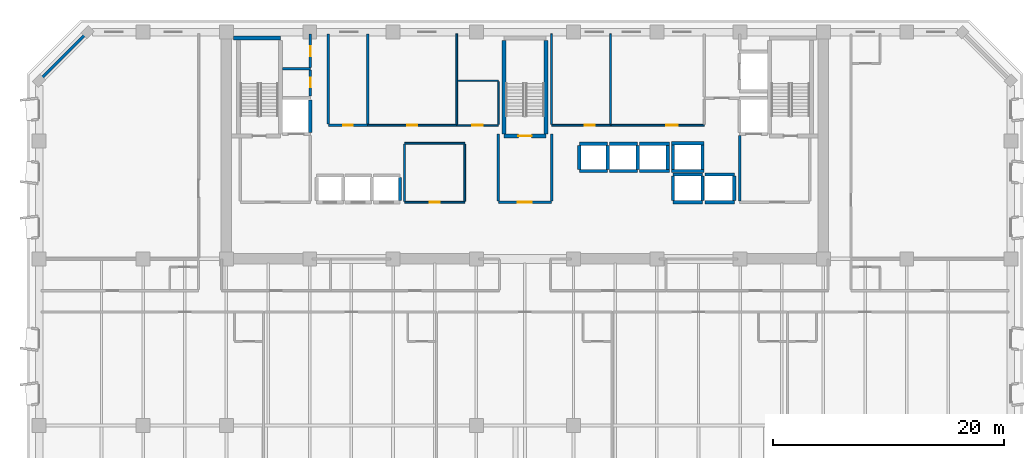
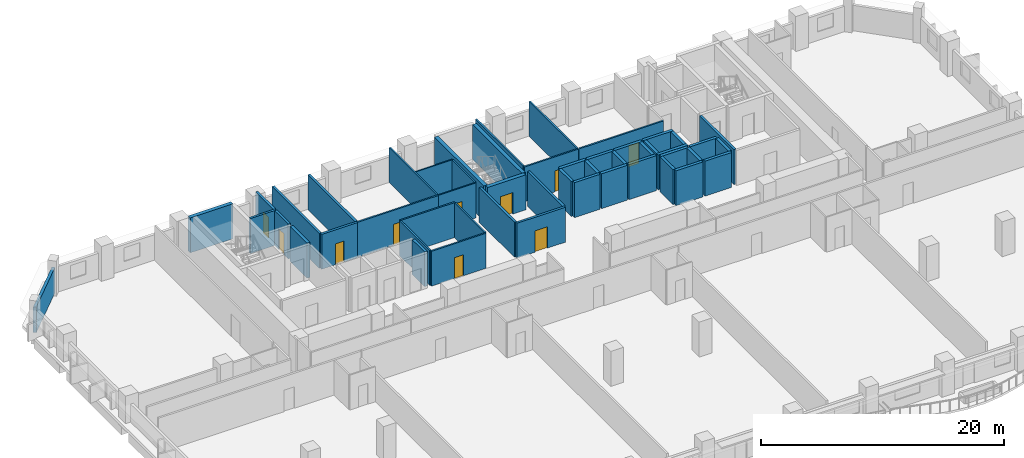
# One storey, part 7 of 14: 51 walls, 10 doors, 10 openings.
"""IFC4 building model written with IfcOpenShell, lengths in metres."""

from ifc_helpers import new_model, si_unit, direction, frame, frame_2d, origin, place, context, subcontext, project, spatial, rectangle, extrude, material, layer, layer_set, type_object, element, fill, save


model = new_model("IFC4")

# Units and contexts
model_context = context("Model", 3, precision=1e-05, world=origin(), true_north=direction((0.0, 1.0)))
body_context = subcontext(model_context, "Body", "Model", "MODEL_VIEW")
ifc_project = project(units=[si_unit("LENGTHUNIT", "METRE"), si_unit("AREAUNIT", "SQUARE_METRE"), si_unit("VOLUMEUNIT", "CUBIC_METRE"), si_unit("PLANEANGLEUNIT", "RADIAN"), si_unit("MASSUNIT", "GRAM", prefix="KILO")], contexts=[model_context])

# Site, building, storey
site_placement = place(None, origin())
site = spatial("IfcSite", under=ifc_project, at=site_placement, CompositionType="ELEMENT")
building_placement = place(site_placement, origin())
building = spatial("IfcBuilding", under=site, at=building_placement, Name="Kaelvorn Grand Hotel", CompositionType="ELEMENT")
storey_placement = place(building_placement, frame((0.0, 0.0, 123.050048828125)))
storey = spatial("IfcBuildingStorey", under=building, at=storey_placement, Name="L29", CompositionType="ELEMENT", Elevation=123.050048828125)

# Wall
ifc_material_1 = material(Name="Concrete C40/50", Category="concrete")
ifc_layer_1 = layer(ifc_material_1, 0.260009765625)
ifc_layer_set_1 = layer_set([ifc_layer_1], Name="Concrete C40/50")
wall_type_1 = type_object("IfcWallType", Name="WL-EXT-260-C40", PredefinedType="SOLIDWALL", material=ifc_layer_set_1)
wall_1_placement = place(storey_placement, frame((4.199951171875, 49.0, 0.0), z_axis=(0.0, 0.0, 1.0), x_axis=(-0.707106781187, -0.707106781187, 0.0)))
element("IfcWall", 1, at=wall_1_placement, inside=storey, type_object=wall_type_1, Name="L29 Exterior Architectural Concrete Wall 06", PredefinedType="SOLIDWALL", context=body_context, shape_type="SweptSolid", body=[
    extrude(rectangle(XDim=5.939697265625, YDim=0.260009765625, at=frame_2d((2.9697265625, 0.0))), origin(), (0.0, 0.0, 1.0), 2.56005859375),
])

# Wall, opening, door
ifc_material_2 = material(Name="Moisture-Resistant Tile & Stud Board")
ifc_layer_2 = layer(ifc_material_2, 0.125)
ifc_layer_set_2 = layer_set([ifc_layer_2], Name="Moisture-Resistant Tile & Stud Board")
wall_type_2 = type_object("IfcWallType", Name="WL-PART-125-WET", PredefinedType="PARTITIONING", material=ifc_layer_set_2)
wall_2_placement = place(storey_placement, frame((36.110107421875, 40.949951171875, 0.0), z_axis=(0.0, 0.0, 1.0), x_axis=(1.0, 0.0, 0.0)))
wall_2 = element("IfcWall", 2, at=wall_2_placement, inside=storey, type_object=wall_type_2, Name="L29 Accessible WC S Partition", PredefinedType="PARTITIONING", context=body_context, shape_type="SweptSolid", body=[
    extrude(rectangle(XDim=3.58984375, YDim=0.125, at=frame_2d((1.794921875, 0.0))), origin(), (0.0, 0.0, 1.0), 3.510009765625),
])
opening_1_placement = place(wall_2_placement, frame((1.340087890625, 0.0, 0.0)))
opening_1 = element("IfcOpeningElement", 3, at=opening_1_placement, cuts=wall_2, Name="Opening DI4", PredefinedType="OPENING", context=body_context, shape_type="SweptSolid", body=[
    extrude(rectangle(XDim=0.89990234375, YDim=2.10009765625, at=frame_2d((0.449951171875, 1.050048828125))), frame((0.0, 0.072509765625, 0.0), z_axis=(0.0, -1.0, 0.0), x_axis=(1.0, 0.0, 0.0)), (0.0, 0.0, 1.0), 0.14501953125),
])
ifc_material_3 = material(Name="Timber Veneer Leaf", Category="wood")
door_type_1 = type_object("IfcDoorType", Name="DR-INT-BATH-900x2100", OperationType="NOTDEFINED", PredefinedType="DOOR", material=ifc_material_3)
door_1_placement = place(opening_1_placement, origin())
door_1 = element("IfcDoor", 4, at=door_1_placement, inside=storey, type_object=door_type_1, Name="L29 Accessible WC Door", OperationType="SINGLE_SWING_LEFT", OverallHeight=2.10009765625, OverallWidth=0.89990234375, PredefinedType="DOOR", context=body_context, shape_type="SweptSolid", body=[
    extrude(rectangle(XDim=0.89990234375, YDim=2.10009765625, at=frame_2d((0.449951171875, 1.050048828125))), frame((0.0, 0.02490234375, 0.0), z_axis=(0.0, -1.0, 0.0), x_axis=(1.0, 0.0, 0.0)), (0.0, 0.0, 1.0), 0.050048828125),
])
fill(opening_1, door_1)

# Walls
wall_3_placement = place(storey_placement, frame((36.179931640625, 44.800048828125, 0.0), z_axis=(0.0, 0.0, 1.0), x_axis=(1.0, 0.0, 0.0)))
element("IfcWall", 5, at=wall_3_placement, inside=storey, type_object=wall_type_2, Name="L29 Accessible WC N Partition", PredefinedType="PARTITIONING", context=body_context, shape_type="SweptSolid", body=[
    extrude(rectangle(XDim=3.52001953125, YDim=0.125, at=frame_2d((1.760009765625, 0.0))), origin(), (0.0, 0.0, 1.0), 3.510009765625),
])
wall_4_placement = place(storey_placement, frame((39.699951171875, 41.017578125, 0.0), z_axis=(0.0, 0.0, 1.0), x_axis=(0.0, 1.0, 0.0)))
element("IfcWall", 6, at=wall_4_placement, inside=storey, type_object=wall_type_2, Name="L29 Accessible WC E Partition", PredefinedType="PARTITIONING", context=body_context, shape_type="SweptSolid", body=[
    extrude(rectangle(XDim=3.71484375, YDim=0.125, at=frame_2d((1.857421875, 0.0))), origin(), (0.0, 0.0, 1.0), 3.510009765625),
])

# Wall, opening, door
ifc_material_4 = material(Name="Acoustic Gypsum & Stud Partition")
ifc_layer_3 = layer(ifc_material_4, 0.14990234375)
ifc_layer_set_3 = layer_set([ifc_layer_3], Name="Acoustic Gypsum & Stud Partition")
wall_type_3 = type_object("IfcWallType", Name="WL-PART-150-EI60", PredefinedType="PARTITIONING", material=ifc_layer_set_3)
wall_5_placement = place(storey_placement, frame((31.60009765625, 34.300048828125, 0.0), z_axis=(0.0, 0.0, 1.0), x_axis=(1.0, 0.0, 0.0)))
wall_5 = element("IfcWall", 7, at=wall_5_placement, inside=storey, type_object=wall_type_3, Name="L29 Core Telecoms & BMS Server Room S Partition", PredefinedType="PARTITIONING", context=body_context, shape_type="SweptSolid", body=[
    extrude(rectangle(XDim=5.199951171875, YDim=0.14990234375, at=frame_2d((2.60009765625, 0.0))), origin(), (0.0, 0.0, 1.0), 3.510009765625),
])
opening_2_placement = place(wall_5_placement, frame((2.175048828125, 0.0, 0.0)))
opening_2 = element("IfcOpeningElement", 8, at=opening_2_placement, cuts=wall_5, Name="Opening DI7", PredefinedType="OPENING", context=body_context, shape_type="SweptSolid", body=[
    extrude(rectangle(XDim=0.85009765625, YDim=2.10009765625, at=frame_2d((0.425048828125, 1.050048828125))), frame((0.0, 0.0849609375, 0.0), z_axis=(0.0, -1.0, 0.0), x_axis=(1.0, 0.0, 0.0)), (0.0, 0.0, 1.0), 0.169921875),
])
ifc_material_5 = material(Name="Powder-Coated Steel Leaf", Category="steel")
door_type_2 = type_object("IfcDoorType", Name="DR-INT-RISER-850x2100", OperationType="NOTDEFINED", PredefinedType="DOOR", material=ifc_material_5)
door_2_placement = place(opening_2_placement, origin())
door_2 = element("IfcDoor", 9, at=door_2_placement, inside=storey, type_object=door_type_2, Name="L29 Core Telecoms & BMS Server Room Door", OperationType="SINGLE_SWING_RIGHT", OverallHeight=2.10009765625, OverallWidth=0.85009765625, PredefinedType="DOOR", context=body_context, shape_type="SweptSolid", body=[
    extrude(rectangle(XDim=0.85009765625, YDim=2.10009765625, at=frame_2d((0.425048828125, 1.050048828125))), frame((0.0, 0.02490234375, 0.0), z_axis=(0.0, -1.0, 0.0), x_axis=(1.0, 0.0, 0.0)), (0.0, 0.0, 1.0), 0.050048828125),
])
fill(opening_2, door_2)

# Walls
wall_6_placement = place(storey_placement, frame((31.60009765625, 39.39990234375, 0.0), z_axis=(0.0, 0.0, 1.0), x_axis=(1.0, 0.0, 0.0)))
element("IfcWall", 10, at=wall_6_placement, inside=storey, type_object=wall_type_3, Name="L29 Core Telecoms & BMS Server Room N Partition", PredefinedType="PARTITIONING", context=body_context, shape_type="SweptSolid", body=[
    extrude(rectangle(XDim=5.199951171875, YDim=0.14990234375, at=frame_2d((2.60009765625, 0.0))), origin(), (0.0, 0.0, 1.0), 3.510009765625),
])
for number, where, z_axis, x_axis, name in (
    (11, (31.60009765625, 34.3798828125, 0.0), (0.0, 0.0, 1.0), (0.0, 1.0, 0.0), "L29 Core Telecoms & BMS Server Room W Partition"),
    (12, (36.800048828125, 34.3798828125, 0.0), (0.0, 0.0, 1.0), (0.0, 1.0, 0.0), "L29 Core Telecoms & BMS Server Room E Partition"),
):
    element("IfcWall", number, at=place(storey_placement, frame(where, z_axis=z_axis, x_axis=x_axis)), inside=storey, type_object=wall_type_3, Name=name, PredefinedType="PARTITIONING", context=body_context, shape_type="SweptSolid", body=[
        extrude(rectangle(XDim=4.940185546875, YDim=0.14990234375, at=frame_2d((2.47021484375, 0.0))), origin(), (0.0, 0.0, 1.0), 3.510009765625),
    ])

# Wall, opening, door
wall_7_placement = place(storey_placement, frame((28.409912109375, 40.949951171875, 0.0), z_axis=(0.0, 0.0, 1.0), x_axis=(1.0, 0.0, 0.0)))
wall_7 = element("IfcWall", 13, at=wall_7_placement, inside=storey, type_object=wall_type_3, Name="L29 Housekeeping & Linen Room S Partition", PredefinedType="PARTITIONING", context=body_context, shape_type="SweptSolid", body=[
    extrude(rectangle(XDim=7.690185546875, YDim=0.14990234375, at=frame_2d((3.84521484375, 0.0))), origin(), (0.0, 0.0, 1.0), 3.510009765625),
])
opening_3_placement = place(wall_7_placement, frame((3.4150390625, 0.0, 0.0)))
opening_3 = element("IfcOpeningElement", 14, at=opening_3_placement, cuts=wall_7, Name="Opening DI7", PredefinedType="OPENING", context=body_context, shape_type="SweptSolid", body=[
    extrude(rectangle(XDim=0.85009765625, YDim=2.10009765625, at=frame_2d((0.425048828125, 1.050048828125))), frame((0.0, 0.0849609375, 0.0), z_axis=(0.0, -1.0, 0.0), x_axis=(1.0, 0.0, 0.0)), (0.0, 0.0, 1.0), 0.169921875),
])
door_3_placement = place(opening_3_placement, origin())
door_3 = element("IfcDoor", 15, at=door_3_placement, inside=storey, type_object=door_type_2, Name="L29 Housekeeping & Linen Room Door", OperationType="SINGLE_SWING_RIGHT", OverallHeight=2.10009765625, OverallWidth=0.85009765625, PredefinedType="DOOR", context=body_context, shape_type="SweptSolid", body=[
    extrude(rectangle(XDim=0.85009765625, YDim=2.10009765625, at=frame_2d((0.425048828125, 1.050048828125))), frame((0.0, 0.02490234375, 0.0), z_axis=(0.0, -1.0, 0.0), x_axis=(1.0, 0.0, 0.0)), (0.0, 0.0, 1.0), 0.050048828125),
])
fill(opening_3, door_3)

# Wall
wall_8_placement = place(storey_placement, frame((36.10009765625, 41.030029296875, 0.0), z_axis=(0.0, 0.0, 1.0), x_axis=(0.0, 1.0, 0.0)))
element("IfcWall", 16, at=wall_8_placement, inside=storey, type_object=wall_type_3, Name="L29 Housekeeping & Linen Room E Partition", PredefinedType="PARTITIONING", context=body_context, shape_type="SweptSolid", body=[
    extrude(rectangle(XDim=7.820068359375, YDim=0.14990234375, at=frame_2d((3.91015625, 0.0))), origin(), (0.0, 0.0, 1.0), 3.510009765625),
])

# Wall, opening, door
wall_9_placement = place(storey_placement, frame((44.300048828125, 40.949951171875, 0.0), z_axis=(0.0, 0.0, 1.0), x_axis=(1.0, 0.0, 0.0)))
wall_9 = element("IfcWall", 17, at=wall_9_placement, inside=storey, type_object=wall_type_3, Name="L29 Laundry Chute Vestibule S Partition", PredefinedType="PARTITIONING", context=body_context, shape_type="SweptSolid", body=[
    extrude(rectangle(XDim=5.099853515625, YDim=0.14990234375, at=frame_2d((2.5498046875, 0.0))), origin(), (0.0, 0.0, 1.0), 3.510009765625),
])
opening_4_placement = place(wall_9_placement, frame((2.875, 0.0, 0.0)))
opening_4 = element("IfcOpeningElement", 18, at=opening_4_placement, cuts=wall_9, Name="Opening DI7", PredefinedType="OPENING", context=body_context, shape_type="SweptSolid", body=[
    extrude(rectangle(XDim=0.85009765625, YDim=2.10009765625, at=frame_2d((0.425048828125, 1.050048828125))), frame((0.0, 0.0849609375, 0.0), z_axis=(0.0, -1.0, 0.0), x_axis=(1.0, 0.0, 0.0)), (0.0, 0.0, 1.0), 0.169921875),
])
door_4_placement = place(opening_4_placement, origin())
door_4 = element("IfcDoor", 19, at=door_4_placement, inside=storey, type_object=door_type_2, Name="L29 Laundry Chute Vestibule Door", OperationType="SINGLE_SWING_RIGHT", OverallHeight=2.10009765625, OverallWidth=0.85009765625, PredefinedType="DOOR", context=body_context, shape_type="SweptSolid", body=[
    extrude(rectangle(XDim=0.85009765625, YDim=2.10009765625, at=frame_2d((0.425048828125, 1.050048828125))), frame((0.0, 0.02490234375, 0.0), z_axis=(0.0, -1.0, 0.0), x_axis=(1.0, 0.0, 0.0)), (0.0, 0.0, 1.0), 0.050048828125),
])
fill(opening_4, door_4)

# Walls
for number, where, z_axis, x_axis, name in (
    (20, (44.300048828125, 41.030029296875, 0.0), (0.0, 0.0, 1.0), (0.0, 1.0, 0.0), "L29 Laundry Chute Vestibule W Partition"),
    (21, (49.39990234375, 41.030029296875, 0.0), (0.0, 0.0, 1.0), (0.0, 1.0, 0.0), "L29 Laundry Chute Vestibule E Partition"),
):
    element("IfcWall", number, at=place(storey_placement, frame(where, z_axis=z_axis, x_axis=x_axis)), inside=storey, type_object=wall_type_3, Name=name, PredefinedType="PARTITIONING", context=body_context, shape_type="SweptSolid", body=[
        extrude(rectangle(XDim=7.820068359375, YDim=0.14990234375, at=frame_2d((3.91015625, 0.0))), origin(), (0.0, 0.0, 1.0), 3.510009765625),
    ])

# Wall, opening, door
wall_10_placement = place(storey_placement, frame((49.47998046875, 40.949951171875, 0.0), z_axis=(0.0, 0.0, 1.0), x_axis=(1.0, 0.0, 0.0)))
wall_10 = element("IfcWall", 22, at=wall_10_placement, inside=storey, type_object=wall_type_3, Name="L29 Butler Servery Pantry S Partition", PredefinedType="PARTITIONING", context=body_context, shape_type="SweptSolid", body=[
    extrude(rectangle(XDim=8.02001953125, YDim=0.14990234375, at=frame_2d((4.010009765625, 0.0))), origin(), (0.0, 0.0, 1.0), 3.510009765625),
])
opening_5_placement = place(wall_10_placement, frame((4.719970703125, 0.0, 0.0)))
opening_5 = element("IfcOpeningElement", 23, at=opening_5_placement, cuts=wall_10, Name="Opening DI3", PredefinedType="OPENING", context=body_context, shape_type="SweptSolid", body=[
    extrude(rectangle(XDim=1.0, YDim=2.14990234375, at=frame_2d((0.5, 1.074951171875))), frame((0.0, 0.0849609375, 0.0), z_axis=(0.0, -1.0, 0.0), x_axis=(1.0, 0.0, 0.0)), (0.0, 0.0, 1.0), 0.169921875),
])
ifc_material_6 = material(Name="Timber Veneer Fire Leaf", Category="wood")
door_type_3 = type_object("IfcDoorType", Name="DR-INT-GUEST-1000x2150", OperationType="NOTDEFINED", PredefinedType="DOOR", material=ifc_material_6)
door_5_placement = place(opening_5_placement, origin())
door_5 = element("IfcDoor", 24, at=door_5_placement, inside=storey, type_object=door_type_3, Name="L29 Butler Servery Pantry Door", OperationType="SINGLE_SWING_LEFT", OverallHeight=2.14990234375, OverallWidth=1.0, PredefinedType="DOOR", context=body_context, shape_type="SweptSolid", body=[
    extrude(rectangle(XDim=1.0, YDim=2.14990234375, at=frame_2d((0.5, 1.074951171875))), frame((0.0, 0.02490234375, 0.0), z_axis=(0.0, -1.0, 0.0), x_axis=(1.0, 0.0, 0.0)), (0.0, 0.0, 1.0), 0.050048828125),
])
fill(opening_5, door_5)

# Wall
ifc_layer_4 = layer(ifc_material_1, 0.219970703125)
ifc_layer_set_4 = layer_set([ifc_layer_4], Name="Concrete C40/50")
wall_type_4 = type_object("IfcWallType", Name="WL-PART-220-EI120", PredefinedType="PARTITIONING", material=ifc_layer_set_4)
wall_11_placement = place(storey_placement, frame((60.550048828125, 34.4150390625, 0.0), z_axis=(0.0, 0.0, 1.0), x_axis=(0.0, 1.0, 0.0)))
element("IfcWall", 25, at=wall_11_placement, inside=storey, type_object=wall_type_4, Name="L29 Firefighting Lift Lobby 2 W Partition", PredefinedType="PARTITIONING", context=body_context, shape_type="SweptSolid", body=[
    extrude(rectangle(XDim=5.639892578125, YDim=0.219970703125, at=frame_2d((2.81982421875, 0.0))), origin(), (0.0, 0.0, 1.0), 3.510009765625),
])

# Wall, opening, door
wall_12_placement = place(storey_placement, frame((39.699951171875, 34.300048828125, 0.0), z_axis=(0.0, 0.0, 1.0), x_axis=(1.0, 0.0, 0.0)))
wall_12 = element("IfcWall", 26, at=wall_12_placement, inside=storey, type_object=wall_type_4, Name="L29 Central Stair Escape Vestibule S Partition", PredefinedType="PARTITIONING", context=body_context, shape_type="SweptSolid", body=[
    extrude(rectangle(XDim=4.60009765625, YDim=0.219970703125, at=frame_2d((2.300048828125, 0.0))), origin(), (0.0, 0.0, 1.0), 3.510009765625),
])
opening_6_placement = place(wall_12_placement, frame((1.699951171875, 0.0, 0.0)))
opening_6 = element("IfcOpeningElement", 27, at=opening_6_placement, cuts=wall_12, Name="Opening DI2", PredefinedType="OPENING", context=body_context, shape_type="SweptSolid", body=[
    extrude(rectangle(XDim=1.199951171875, YDim=2.14990234375, at=frame_2d((0.60009765625, 1.074951171875))), frame((0.0, 0.1201171875, 0.0), z_axis=(0.0, -1.0, 0.0), x_axis=(1.0, 0.0, 0.0)), (0.0, 0.0, 1.0), 0.239990234375),
])
door_type_4 = type_object("IfcDoorType", Name="DR-INT-FFLOB-1200x2150", OperationType="NOTDEFINED", PredefinedType="DOOR", material=ifc_material_6)
door_6_placement = place(opening_6_placement, origin())
door_6 = element("IfcDoor", 28, at=door_6_placement, inside=storey, type_object=door_type_4, Name="L29 Central Stair Escape Vestibule Door", OperationType="SINGLE_SWING_RIGHT", OverallHeight=2.14990234375, OverallWidth=1.199951171875, PredefinedType="DOOR", context=body_context, shape_type="SweptSolid", body=[
    extrude(rectangle(XDim=1.199951171875, YDim=2.14990234375, at=frame_2d((0.60009765625, 1.074951171875))), frame((0.0, 0.02490234375, 0.0), z_axis=(0.0, -1.0, 0.0), x_axis=(1.0, 0.0, 0.0)), (0.0, 0.0, 1.0), 0.050048828125),
])
fill(opening_6, door_6)

# Walls
for number, where, z_axis, x_axis, name in (
    (29, (39.699951171875, 34.4150390625, 0.0), (0.0, 0.0, 1.0), (0.0, 1.0, 0.0), "L29 Central Stair Escape Vestibule W Partition"),
    (30, (44.300048828125, 34.4150390625, 0.0), (0.0, 0.0, 1.0), (0.0, 1.0, 0.0), "L29 Central Stair Escape Vestibule E Partition"),
):
    element("IfcWall", number, at=place(storey_placement, frame(where, z_axis=z_axis, x_axis=x_axis)), inside=storey, type_object=wall_type_4, Name=name, PredefinedType="PARTITIONING", context=body_context, shape_type="SweptSolid", body=[
        extrude(rectangle(XDim=5.784912109375, YDim=0.219970703125, at=frame_2d((2.892578125, 0.0))), origin(), (0.0, 0.0, 1.0), 3.510009765625),
    ])
wall_13_placement = place(storey_placement, frame((21.034912109375, 45.85009765625, 0.0), z_axis=(0.0, 0.0, 1.0), x_axis=(1.0, 0.0, 0.0)))
element("IfcWall", 31, at=wall_13_placement, inside=storey, type_object=wall_type_4, Name="L29 Wet Fire & Plumbing Riser Shaft N Partition", PredefinedType="PARTITIONING", context=body_context, shape_type="SweptSolid", body=[
    extrude(rectangle(XDim=2.4150390625, YDim=0.219970703125, at=frame_2d((1.20751953125, 0.0))), origin(), (0.0, 0.0, 1.0), 3.510009765625),
])

# Wall, opening, door
wall_14_placement = place(storey_placement, frame((23.449951171875, 43.5, 0.0), z_axis=(0.0, 0.0, 1.0), x_axis=(0.0, 1.0, 0.0)))
wall_14 = element("IfcWall", 32, at=wall_14_placement, inside=storey, type_object=wall_type_4, Name="L29 Wet Fire & Plumbing Riser Shaft E Partition", PredefinedType="PARTITIONING", context=body_context, shape_type="SweptSolid", body=[
    extrude(rectangle(XDim=2.235107421875, YDim=0.219970703125, at=frame_2d((1.11767578125, 0.0))), origin(), (0.0, 0.0, 1.0), 3.510009765625),
])
opening_7_placement = place(wall_14_placement, frame((0.72509765625, 0.0, 0.0)))
opening_7 = element("IfcOpeningElement", 33, at=opening_7_placement, cuts=wall_14, Name="Opening DI7", PredefinedType="OPENING", context=body_context, shape_type="SweptSolid", body=[
    extrude(rectangle(XDim=0.85009765625, YDim=2.10009765625, at=frame_2d((0.425048828125, 1.050048828125))), frame((0.0, 0.1201171875, 0.0), z_axis=(0.0, -1.0, 0.0), x_axis=(1.0, 0.0, 0.0)), (0.0, 0.0, 1.0), 0.239990234375),
])
door_7_placement = place(opening_7_placement, origin())
door_7 = element("IfcDoor", 34, at=door_7_placement, inside=storey, type_object=door_type_2, Name="L29 Wet Fire & Plumbing Riser Shaft Door", OperationType="SINGLE_SWING_RIGHT", OverallHeight=2.10009765625, OverallWidth=0.85009765625, PredefinedType="DOOR", context=body_context, shape_type="SweptSolid", body=[
    extrude(rectangle(XDim=0.85009765625, YDim=2.10009765625, at=frame_2d((0.425048828125, 1.050048828125))), frame((0.0, 0.02490234375, 0.0), z_axis=(0.0, -1.0, 0.0), x_axis=(1.0, 0.0, 0.0)), (0.0, 0.0, 1.0), 0.050048828125),
])
fill(opening_7, door_7)

wall_15_placement = place(storey_placement, frame((23.449951171875, 45.965087890625, 0.0), z_axis=(0.0, 0.0, 1.0), x_axis=(0.0, 1.0, 0.0)))
wall_15 = element("IfcWall", 35, at=wall_15_placement, inside=storey, type_object=wall_type_4, Name="L29 HV Electrical & Smoke Riser E Partition", PredefinedType="PARTITIONING", context=body_context, shape_type="SweptSolid", body=[
    extrude(rectangle(XDim=2.885009765625, YDim=0.219970703125, at=frame_2d((1.4423828125, 0.0))), origin(), (0.0, 0.0, 1.0), 3.510009765625),
])
opening_8_placement = place(wall_15_placement, frame((0.9599609375, 0.0, 0.0)))
opening_8 = element("IfcOpeningElement", 36, at=opening_8_placement, cuts=wall_15, Name="Opening DI7", PredefinedType="OPENING", context=body_context, shape_type="SweptSolid", body=[
    extrude(rectangle(XDim=0.85009765625, YDim=2.10009765625, at=frame_2d((0.425048828125, 1.050048828125))), frame((0.0, 0.1201171875, 0.0), z_axis=(0.0, -1.0, 0.0), x_axis=(1.0, 0.0, 0.0)), (0.0, 0.0, 1.0), 0.239990234375),
])
door_8_placement = place(opening_8_placement, origin())
door_8 = element("IfcDoor", 37, at=door_8_placement, inside=storey, type_object=door_type_2, Name="L29 HV Electrical & Smoke Riser Door", OperationType="SINGLE_SWING_LEFT", OverallHeight=2.10009765625, OverallWidth=0.85009765625, PredefinedType="DOOR", context=body_context, shape_type="SweptSolid", body=[
    extrude(rectangle(XDim=0.85009765625, YDim=2.10009765625, at=frame_2d((0.425048828125, 1.050048828125))), frame((0.0, 0.02490234375, 0.0), z_axis=(0.0, -1.0, 0.0), x_axis=(1.0, 0.0, 0.0)), (0.0, 0.0, 1.0), 0.050048828125),
])
fill(opening_8, door_8)

wall_16_placement = place(storey_placement, frame((25.0, 40.949951171875, 0.0), z_axis=(0.0, 0.0, 1.0), x_axis=(1.0, 0.0, 0.0)))
wall_16 = element("IfcWall", 38, at=wall_16_placement, inside=storey, type_object=wall_type_4, Name="L29 Electrical Distribution Room S Partition", PredefinedType="PARTITIONING", context=body_context, shape_type="SweptSolid", body=[
    extrude(rectangle(XDim=3.39990234375, YDim=0.219970703125, at=frame_2d((1.699951171875, 0.0))), origin(), (0.0, 0.0, 1.0), 3.510009765625),
])
opening_9_placement = place(wall_16_placement, frame((1.27490234375, 0.0, 0.0)))
opening_9 = element("IfcOpeningElement", 39, at=opening_9_placement, cuts=wall_16, Name="Opening DI7", PredefinedType="OPENING", context=body_context, shape_type="SweptSolid", body=[
    extrude(rectangle(XDim=0.85009765625, YDim=2.10009765625, at=frame_2d((0.425048828125, 1.050048828125))), frame((0.0, 0.1201171875, 0.0), z_axis=(0.0, -1.0, 0.0), x_axis=(1.0, 0.0, 0.0)), (0.0, 0.0, 1.0), 0.239990234375),
])
door_9_placement = place(opening_9_placement, origin())
door_9 = element("IfcDoor", 40, at=door_9_placement, inside=storey, type_object=door_type_2, Name="L29 Electrical Distribution Room Door", OperationType="SINGLE_SWING_LEFT", OverallHeight=2.10009765625, OverallWidth=0.85009765625, PredefinedType="DOOR", context=body_context, shape_type="SweptSolid", body=[
    extrude(rectangle(XDim=0.85009765625, YDim=2.10009765625, at=frame_2d((0.425048828125, 1.050048828125))), frame((0.0, 0.02490234375, 0.0), z_axis=(0.0, -1.0, 0.0), x_axis=(1.0, 0.0, 0.0)), (0.0, 0.0, 1.0), 0.050048828125),
])
fill(opening_9, door_9)

# Walls
for number, where, z_axis, x_axis, name in (
    (41, (25.0, 41.06494140625, 0.0), (0.0, 0.0, 1.0), (0.0, 1.0, 0.0), "L29 Electrical Distribution Room W Partition"),
    (42, (28.39990234375, 41.06494140625, 0.0), (0.0, 0.0, 1.0), (0.0, 1.0, 0.0), "L29 Electrical Distribution Room E Partition"),
):
    element("IfcWall", number, at=place(storey_placement, frame(where, z_axis=z_axis, x_axis=x_axis)), inside=storey, type_object=wall_type_4, Name=name, PredefinedType="PARTITIONING", context=body_context, shape_type="SweptSolid", body=[
        extrude(rectangle(XDim=7.78515625, YDim=0.219970703125, at=frame_2d((3.892578125, 0.0))), origin(), (0.0, 0.0, 1.0), 3.510009765625),
    ])
ifc_material_7 = material(Name="Concrete C50/60", Category="concrete")
ifc_layer_5 = layer(ifc_material_7, 0.280029296875)
ifc_layer_set_5 = layer_set([ifc_layer_5], Name="Concrete C50/60")
wall_type_5 = type_object("IfcWallType", Name="WL-SHAFT-280-C50", PredefinedType="SHEAR", material=ifc_layer_set_5)
wall_17_placement = place(storey_placement, frame((31.199951171875, 34.445068359375, 0.0), z_axis=(0.0, 0.0, 1.0), x_axis=(0.0, 1.0, 0.0)))
element("IfcWall", 43, at=wall_17_placement, inside=storey, type_object=wall_type_5, Name="L29 Lift PL-L3 Shaft East Wall", PredefinedType="SHEAR", context=body_context, shape_type="SweptSolid", body=[
    extrude(rectangle(XDim=2.010009765625, YDim=0.280029296875, at=frame_2d((1.0048828125, 0.0))), origin(), (0.0, 0.0, 1.0), 3.510009765625),
])
for number, where, z_axis, x_axis, name in (
    (44, (46.699951171875, 37.0, 0.0), (0.0, 0.0, 1.0), (1.0, 0.0, 0.0), "L29 Lift SL-1 Shaft South Wall"),
    (45, (46.699951171875, 39.35009765625, 0.0), (0.0, 0.0, 1.0), (1.0, 0.0, 0.0), "L29 Lift SL-1 Shaft North Wall"),
):
    element("IfcWall", number, at=place(storey_placement, frame(where, z_axis=z_axis, x_axis=x_axis)), inside=storey, type_object=wall_type_5, Name=name, PredefinedType="SHEAR", context=body_context, shape_type="SweptSolid", body=[
        extrude(rectangle(XDim=2.449951171875, YDim=0.280029296875, at=frame_2d((1.22509765625, 0.0))), origin(), (0.0, 0.0, 1.0), 3.510009765625),
    ])
for number, where, z_axis, x_axis, name in (
    (46, (46.699951171875, 37.14501953125, 0.0), (0.0, 0.0, 1.0), (0.0, 1.0, 0.0), "L29 Lift SL-1 Shaft West Wall"),
    (47, (49.14990234375, 37.14501953125, 0.0), (0.0, 0.0, 1.0), (0.0, 1.0, 0.0), "L29 Lift SL-1 Shaft East Wall"),
):
    element("IfcWall", number, at=place(storey_placement, frame(where, z_axis=z_axis, x_axis=x_axis)), inside=storey, type_object=wall_type_5, Name=name, PredefinedType="SHEAR", context=body_context, shape_type="SweptSolid", body=[
        extrude(rectangle(XDim=2.06005859375, YDim=0.280029296875, at=frame_2d((1.030029296875, 0.0))), origin(), (0.0, 0.0, 1.0), 3.510009765625),
    ])
for number, where, z_axis, x_axis, name in (
    (48, (49.300048828125, 37.0, 0.0), (0.0, 0.0, 1.0), (1.0, 0.0, 0.0), "L29 Lift SL-2 Shaft South Wall"),
    (49, (49.300048828125, 39.35009765625, 0.0), (0.0, 0.0, 1.0), (1.0, 0.0, 0.0), "L29 Lift SL-2 Shaft North Wall"),
):
    element("IfcWall", number, at=place(storey_placement, frame(where, z_axis=z_axis, x_axis=x_axis)), inside=storey, type_object=wall_type_5, Name=name, PredefinedType="SHEAR", context=body_context, shape_type="SweptSolid", body=[
        extrude(rectangle(XDim=2.449951171875, YDim=0.280029296875, at=frame_2d((1.22509765625, 0.0))), origin(), (0.0, 0.0, 1.0), 3.510009765625),
    ])
wall_18_placement = place(storey_placement, frame((51.75, 37.14501953125, 0.0), z_axis=(0.0, 0.0, 1.0), x_axis=(0.0, 1.0, 0.0)))
element("IfcWall", 50, at=wall_18_placement, inside=storey, type_object=wall_type_5, Name="L29 Lift SL-2 Shaft East Wall", PredefinedType="SHEAR", context=body_context, shape_type="SweptSolid", body=[
    extrude(rectangle(XDim=2.06005859375, YDim=0.280029296875, at=frame_2d((1.030029296875, 0.0))), origin(), (0.0, 0.0, 1.0), 3.510009765625),
])
for number, where, z_axis, x_axis, name in (
    (51, (51.89990234375, 37.0, 0.0), (0.0, 0.0, 1.0), (1.0, 0.0, 0.0), "L29 Lift SL-3 Shaft South Wall"),
    (52, (51.89990234375, 39.35009765625, 0.0), (0.0, 0.0, 1.0), (1.0, 0.0, 0.0), "L29 Lift SL-3 Shaft North Wall"),
):
    element("IfcWall", number, at=place(storey_placement, frame(where, z_axis=z_axis, x_axis=x_axis)), inside=storey, type_object=wall_type_5, Name=name, PredefinedType="SHEAR", context=body_context, shape_type="SweptSolid", body=[
        extrude(rectangle(XDim=2.590087890625, YDim=0.280029296875, at=frame_2d((1.294921875, 0.0))), origin(), (0.0, 0.0, 1.0), 3.510009765625),
    ])
wall_19_placement = place(storey_placement, frame((54.35009765625, 37.14501953125, 0.0), z_axis=(0.0, 0.0, 1.0), x_axis=(0.0, 1.0, 0.0)))
element("IfcWall", 53, at=wall_19_placement, inside=storey, type_object=wall_type_5, Name="L29 Lift SL-3 Shaft East Wall", PredefinedType="SHEAR", context=body_context, shape_type="SweptSolid", body=[
    extrude(rectangle(XDim=2.06005859375, YDim=0.280029296875, at=frame_2d((1.030029296875, 0.0))), origin(), (0.0, 0.0, 1.0), 3.510009765625),
])
for number, where, z_axis, x_axis, name in (
    (54, (54.800048828125, 34.300048828125, 0.0), (0.0, 0.0, 1.0), (1.0, 0.0, 0.0), "L29 Lift OL-1 Shaft South Wall"),
    (55, (54.800048828125, 36.699951171875, 0.0), (0.0, 0.0, 1.0), (1.0, 0.0, 0.0), "L29 Lift OL-1 Shaft North Wall"),
):
    element("IfcWall", number, at=place(storey_placement, frame(where, z_axis=z_axis, x_axis=x_axis)), inside=storey, type_object=wall_type_5, Name=name, PredefinedType="SHEAR", context=body_context, shape_type="SweptSolid", body=[
        extrude(rectangle(XDim=2.550048828125, YDim=0.280029296875, at=frame_2d((1.27490234375, 0.0))), origin(), (0.0, 0.0, 1.0), 3.510009765625),
    ])
for number, where, z_axis, x_axis, name in (
    (56, (54.800048828125, 34.445068359375, 0.0), (0.0, 0.0, 1.0), (0.0, 1.0, 0.0), "L29 Lift OL-1 Shaft West Wall"),
    (57, (57.35009765625, 34.445068359375, 0.0), (0.0, 0.0, 1.0), (0.0, 1.0, 0.0), "L29 Lift OL-1 Shaft East Wall"),
):
    element("IfcWall", number, at=place(storey_placement, frame(where, z_axis=z_axis, x_axis=x_axis)), inside=storey, type_object=wall_type_5, Name=name, PredefinedType="SHEAR", context=body_context, shape_type="SweptSolid", body=[
        extrude(rectangle(XDim=2.10986328125, YDim=0.280029296875, at=frame_2d((1.054931640625, 0.0))), origin(), (0.0, 0.0, 1.0), 3.510009765625),
    ])
for number, where, z_axis, x_axis, name in (
    (58, (57.550048828125, 34.300048828125, 0.0), (0.0, 0.0, 1.0), (1.0, 0.0, 0.0), "L29 Lift OL-2 Shaft South Wall"),
    (59, (57.550048828125, 36.699951171875, 0.0), (0.0, 0.0, 1.0), (1.0, 0.0, 0.0), "L29 Lift OL-2 Shaft North Wall"),
):
    element("IfcWall", number, at=place(storey_placement, frame(where, z_axis=z_axis, x_axis=x_axis)), inside=storey, type_object=wall_type_5, Name=name, PredefinedType="SHEAR", context=body_context, shape_type="SweptSolid", body=[
        extrude(rectangle(XDim=2.550048828125, YDim=0.280029296875, at=frame_2d((1.27490234375, 0.0))), origin(), (0.0, 0.0, 1.0), 3.510009765625),
    ])
wall_20_placement = place(storey_placement, frame((60.10009765625, 34.445068359375, 0.0), z_axis=(0.0, 0.0, 1.0), x_axis=(0.0, 1.0, 0.0)))
element("IfcWall", 60, at=wall_20_placement, inside=storey, type_object=wall_type_5, Name="L29 Lift OL-2 Shaft East Wall", PredefinedType="SHEAR", context=body_context, shape_type="SweptSolid", body=[
    extrude(rectangle(XDim=2.10986328125, YDim=0.280029296875, at=frame_2d((1.054931640625, 0.0))), origin(), (0.0, 0.0, 1.0), 3.510009765625),
])
for number, where, z_axis, x_axis, name in (
    (61, (54.659912109375, 37.0, 0.0), (0.0, 0.0, 1.0), (1.0, 0.0, 0.0), "L29 Lift OL-3 Shaft South Wall"),
    (62, (54.659912109375, 39.39990234375, 0.0), (0.0, 0.0, 1.0), (1.0, 0.0, 0.0), "L29 Lift OL-3 Shaft North Wall"),
):
    element("IfcWall", number, at=place(storey_placement, frame(where, z_axis=z_axis, x_axis=x_axis)), inside=storey, type_object=wall_type_5, Name=name, PredefinedType="SHEAR", context=body_context, shape_type="SweptSolid", body=[
        extrude(rectangle(XDim=2.830078125, YDim=0.280029296875, at=frame_2d((1.4150390625, 0.0))), origin(), (0.0, 0.0, 1.0), 3.510009765625),
    ])
for number, where, z_axis, x_axis, name in (
    (63, (54.800048828125, 37.14501953125, 0.0), (0.0, 0.0, 1.0), (0.0, 1.0, 0.0), "L29 Lift OL-3 Shaft West Wall"),
    (64, (57.35009765625, 37.14501953125, 0.0), (0.0, 0.0, 1.0), (0.0, 1.0, 0.0), "L29 Lift OL-3 Shaft East Wall"),
):
    element("IfcWall", number, at=place(storey_placement, frame(where, z_axis=z_axis, x_axis=x_axis)), inside=storey, type_object=wall_type_5, Name=name, PredefinedType="SHEAR", context=body_context, shape_type="SweptSolid", body=[
        extrude(rectangle(XDim=2.10986328125, YDim=0.280029296875, at=frame_2d((1.054931640625, 0.0))), origin(), (0.0, 0.0, 1.0), 3.510009765625),
    ])
wall_21_placement = place(storey_placement, frame((23.449951171875, 40.344970703125, 0.0), z_axis=(0.0, 0.0, 1.0), x_axis=(0.0, 1.0, 0.0)))
element("IfcWall", 65, at=wall_21_placement, inside=storey, type_object=wall_type_5, Name="L29 Lift FFL1 Shaft East Wall", PredefinedType="SHEAR", context=body_context, shape_type="SweptSolid", body=[
    extrude(rectangle(XDim=2.81005859375, YDim=0.280029296875, at=frame_2d((1.405029296875, 0.0))), origin(), (0.0, 0.0, 1.0), 3.510009765625),
])
ifc_material_8 = material(Name="Concrete C60/75", Category="concrete")
ifc_layer_6 = layer(ifc_material_8, 0.35009765625)
ifc_layer_set_6 = layer_set([ifc_layer_6], Name="Concrete C60/75")
wall_type_6 = type_object("IfcWallType", Name="WL-SHAFT-350-C60", PredefinedType="SHEAR", material=ifc_layer_set_6)
wall_22_placement = place(storey_placement, frame((16.804931640625, 48.47509765625, 0.0), z_axis=(0.0, 0.0, 1.0), x_axis=(1.0, 0.0, 0.0)))
element("IfcWall", 66, at=wall_22_placement, inside=storey, type_object=wall_type_6, Name="L29 ST1 Stair Shaft North Wall", PredefinedType="SHEAR", context=body_context, shape_type="SweptSolid", body=[
    extrude(rectangle(XDim=4.050048828125, YDim=0.35009765625, at=frame_2d((2.02490234375, 0.0))), origin(), (0.0, 0.0, 1.0), 3.510009765625),
])

# Wall, opening, door
wall_23_placement = place(storey_placement, frame((40.18505859375, 40.02490234375, 0.0), z_axis=(0.0, 0.0, 1.0), x_axis=(1.0, 0.0, 0.0)))
wall_23 = element("IfcWall", 67, at=wall_23_placement, inside=storey, type_object=wall_type_6, Name="L29 ST2 Stair Shaft South Wall", PredefinedType="SHEAR", context=body_context, shape_type="SweptSolid", body=[
    extrude(rectangle(XDim=3.6298828125, YDim=0.35009765625, at=frame_2d((1.81494140625, 0.0))), origin(), (0.0, 0.0, 1.0), 3.510009765625),
])
opening_10_placement = place(wall_23_placement, frame((1.239990234375, 0.0, 0.0)))
opening_10 = element("IfcOpeningElement", 68, at=opening_10_placement, cuts=wall_23, Name="Opening DI1", PredefinedType="OPENING", context=body_context, shape_type="SweptSolid", body=[
    extrude(rectangle(XDim=1.14990234375, YDim=2.14990234375, at=frame_2d((0.574951171875, 1.074951171875))), frame((0.0, 0.18505859375, 0.0), z_axis=(0.0, -1.0, 0.0), x_axis=(1.0, 0.0, 0.0)), (0.0, 0.0, 1.0), 0.3701171875),
])
door_type_5 = type_object("IfcDoorType", Name="DR-INT-STAIR-1150x2150", OperationType="NOTDEFINED", PredefinedType="DOOR", material=ifc_material_6)
door_10_placement = place(opening_10_placement, origin())
door_10 = element("IfcDoor", 69, at=door_10_placement, inside=storey, type_object=door_type_5, Name="L29 ST2 Exit Stair Fire Door", OperationType="SINGLE_SWING_RIGHT", OverallHeight=2.14990234375, OverallWidth=1.14990234375, PredefinedType="DOOR", context=body_context, shape_type="SweptSolid", body=[
    extrude(rectangle(XDim=1.14990234375, YDim=2.14990234375, at=frame_2d((0.574951171875, 1.074951171875))), frame((0.0, 0.02490234375, 0.0), z_axis=(0.0, -1.0, 0.0), x_axis=(1.0, 0.0, 0.0)), (0.0, 0.0, 1.0), 0.050048828125),
])
fill(opening_10, door_10)

# Walls
for number, where, z_axis, x_axis, name in (
    (70, (40.18505859375, 40.205078125, 0.0), (0.0, 0.0, 1.0), (0.0, 1.0, 0.0), "L29 ST2 Stair Shaft West Wall"),
    (71, (43.81494140625, 40.205078125, 0.0), (0.0, 0.0, 1.0), (0.0, 1.0, 0.0), "L29 ST2 Stair Shaft East Wall"),
):
    element("IfcWall", number, at=place(storey_placement, frame(where, z_axis=z_axis, x_axis=x_axis)), inside=storey, type_object=wall_type_6, Name=name, PredefinedType="SHEAR", context=body_context, shape_type="SweptSolid", body=[
        extrude(rectangle(XDim=8.08984375, YDim=0.35009765625, at=frame_2d((4.044921875, 0.0))), origin(), (0.0, 0.0, 1.0), 3.510009765625),
    ])

save(model, "model.ifc")
